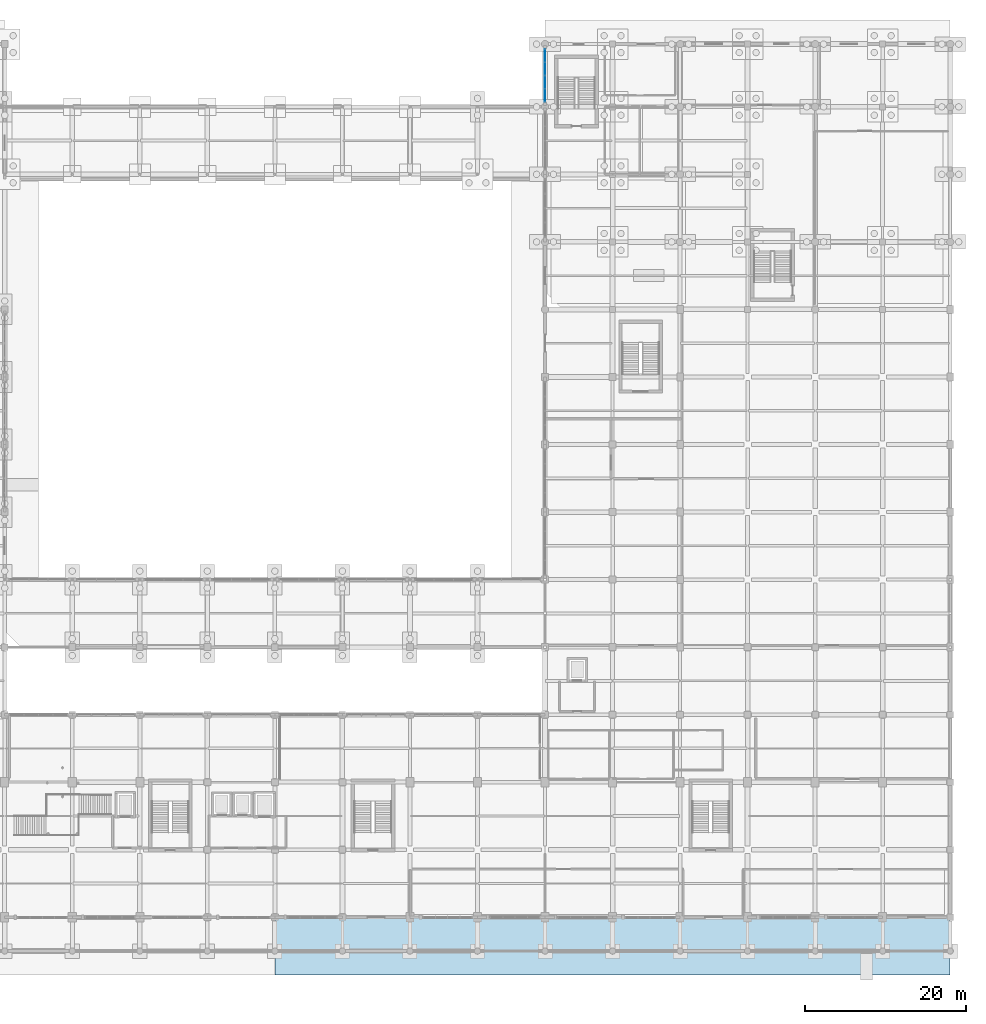
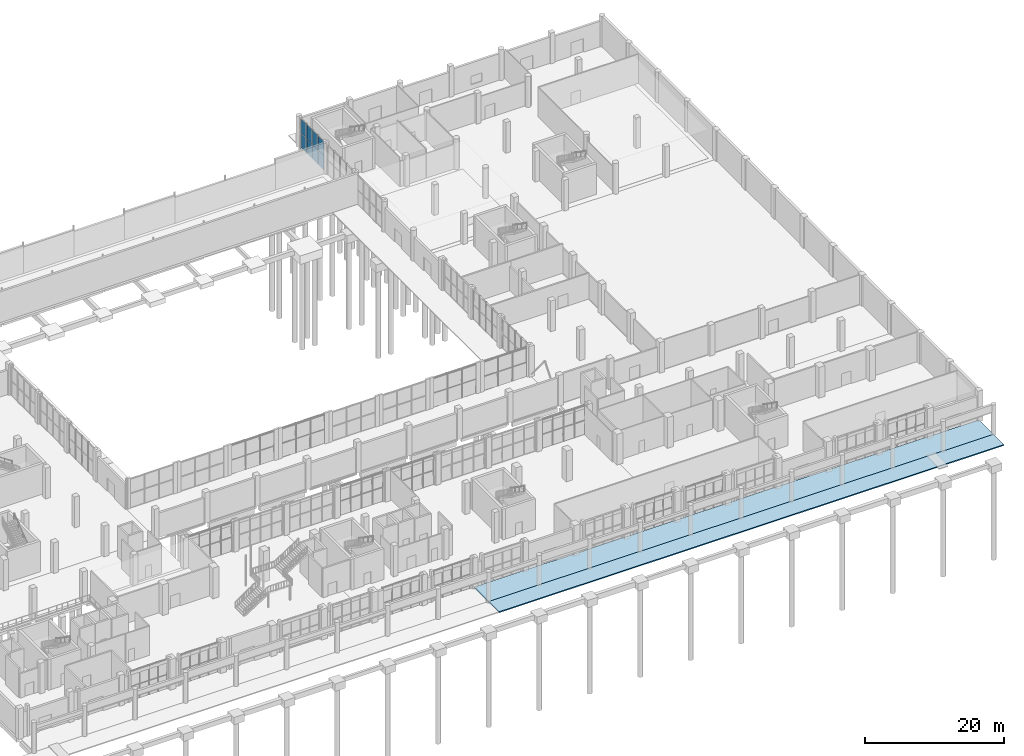
# One storey, part 59 of 82: 8 plates, 2 slabs, 1 element without a shape of its own.
"""IFC4 building model written with IfcOpenShell, lengths in metres."""

from ifc_helpers import new_model, si_unit, derived_unit, direction, frame, origin, origin_2d, place, context, subcontext, project, spatial, polyline, rectangle, outline, extrude, material, layer, layer_set, type_object, element, aggregate, save


model = new_model("IFC4")

# Units and contexts
model_context = context("Model", 3, precision=1e-05, world=origin(), true_north=direction((0.0, 1.0)))
body_context = subcontext(model_context, "Body", "Model", "MODEL_VIEW")
ifc_project = project(units=[si_unit("LENGTHUNIT", "METRE"), si_unit("AREAUNIT", "SQUARE_METRE"), si_unit("VOLUMEUNIT", "CUBIC_METRE"), si_unit("PLANEANGLEUNIT", "RADIAN"), si_unit("MASSUNIT", "GRAM", prefix="KILO"), derived_unit("THERMALTRANSMITTANCEUNIT", [(si_unit("POWERUNIT", "WATT"), 1), (si_unit("LENGTHUNIT", "METRE"), -2), (si_unit("THERMODYNAMICTEMPERATUREUNIT", "KELVIN"), -1)])], contexts=[model_context])

# Site, building, storey
site_placement = place(None, origin())
site = spatial("IfcSite", under=ifc_project, at=site_placement, CompositionType="ELEMENT")
building_placement = place(site_placement, origin())
building = spatial("IfcBuilding", under=site, at=building_placement, Name="Barrovel Congress Hotel", CompositionType="ELEMENT")
storey_placement = place(building_placement, origin())
storey = spatial("IfcBuildingStorey", under=building, at=storey_placement, Name="L00", CompositionType="ELEMENT", Elevation=0.0)

# Curtain wall, plates
ifc_material_1 = material(Name="Anodised Aluminium Alloy 6063-T6", Category="aluminium")
curtain_wall_type = type_object("IfcCurtainWallType", Name="CW-ST-7200x3600", PredefinedType="USERDEFINED", material=ifc_material_1)
curtain_wall_placement = place(storey_placement, origin())
curtain_wall = element("IfcCurtainWall", 1, at=curtain_wall_placement, inside=storey, type_object=curtain_wall_type, Name="CW:L00:CE:105.0", ObjectType="STICK CURTAIN WALL", PredefinedType="USERDEFINED")
ifc_material_2 = material(Name="Double Low-E Insulated Glazing", Category="glass")
ifc_layer_1 = layer(ifc_material_2, 0.031982421875)
ifc_layer_set_1 = layer_set([ifc_layer_1], Name="Double Low-E Insulated Glazing")
plate_type = type_object("IfcPlateType", Name="CWP-32", PredefinedType="CURTAIN_PANEL", material=ifc_layer_set_1)
plate_1_placement = place(storey_placement, frame((126.0, 111.375, 0.030029296875), z_axis=(0.0, 0.0, 1.0), x_axis=(0.0, -1.0, 0.0)))
plate_1 = element("IfcPlate", 2, at=plate_1_placement, type_object=plate_type, Name="CW:L00:CE:105.0:P0-0", PredefinedType="CURTAIN_PANEL", context=body_context, shape_type="SweptSolid", body=[
    extrude(rectangle(XDim=1.590087890625, YDim=0.031982421875, at=origin_2d()), origin(), (0.0, 0.0, 1.0), 2.5),
])
plate_2_placement = place(storey_placement, frame((126.0, 111.375, 2.590087890625), z_axis=(0.0, 0.0, 1.0), x_axis=(0.0, -1.0, 0.0)))
plate_2 = element("IfcPlate", 3, at=plate_2_placement, type_object=plate_type, Name="CW:L00:CE:105.0:P0-1", PredefinedType="CURTAIN_PANEL", context=body_context, shape_type="SweptSolid", body=[
    extrude(rectangle(XDim=1.590087890625, YDim=0.031982421875, at=origin_2d()), origin(), (0.0, 0.0, 1.0), 2.5),
])
plate_3_placement = place(storey_placement, frame((126.0, 109.72509765625, 0.030029296875), z_axis=(0.0, 0.0, 1.0), x_axis=(0.0, -1.0, 0.0)))
plate_3 = element("IfcPlate", 4, at=plate_3_placement, type_object=plate_type, Name="CW:L00:CE:105.0:P1-0", PredefinedType="CURTAIN_PANEL", context=body_context, shape_type="SweptSolid", body=[
    extrude(rectangle(XDim=1.590087890625, YDim=0.031982421875, at=origin_2d()), origin(), (0.0, 0.0, 1.0), 2.5),
])
plate_4_placement = place(storey_placement, frame((126.0, 109.72509765625, 2.590087890625), z_axis=(0.0, 0.0, 1.0), x_axis=(0.0, -1.0, 0.0)))
plate_4 = element("IfcPlate", 5, at=plate_4_placement, type_object=plate_type, Name="CW:L00:CE:105.0:P1-1", PredefinedType="CURTAIN_PANEL", context=body_context, shape_type="SweptSolid", body=[
    extrude(rectangle(XDim=1.590087890625, YDim=0.031982421875, at=origin_2d()), origin(), (0.0, 0.0, 1.0), 2.5),
])
plate_5_placement = place(storey_placement, frame((126.0, 108.074951171875, 0.030029296875), z_axis=(0.0, 0.0, 1.0), x_axis=(0.0, -1.0, 0.0)))
plate_5 = element("IfcPlate", 6, at=plate_5_placement, type_object=plate_type, Name="CW:L00:CE:105.0:P2-0", PredefinedType="CURTAIN_PANEL", context=body_context, shape_type="SweptSolid", body=[
    extrude(rectangle(XDim=1.590087890625, YDim=0.031982421875, at=origin_2d()), origin(), (0.0, 0.0, 1.0), 2.5),
])
plate_6_placement = place(storey_placement, frame((126.0, 108.074951171875, 2.590087890625), z_axis=(0.0, 0.0, 1.0), x_axis=(0.0, -1.0, 0.0)))
plate_6 = element("IfcPlate", 7, at=plate_6_placement, type_object=plate_type, Name="CW:L00:CE:105.0:P2-1", PredefinedType="CURTAIN_PANEL", context=body_context, shape_type="SweptSolid", body=[
    extrude(rectangle(XDim=1.590087890625, YDim=0.031982421875, at=origin_2d()), origin(), (0.0, 0.0, 1.0), 2.5),
])
plate_7_placement = place(storey_placement, frame((126.0, 106.425048828125, 0.030029296875), z_axis=(0.0, 0.0, 1.0), x_axis=(0.0, -1.0, 0.0)))
plate_7 = element("IfcPlate", 8, at=plate_7_placement, type_object=plate_type, Name="CW:L00:CE:105.0:P3-0", PredefinedType="CURTAIN_PANEL", context=body_context, shape_type="SweptSolid", body=[
    extrude(rectangle(XDim=1.590087890625, YDim=0.031982421875, at=origin_2d()), origin(), (0.0, 0.0, 1.0), 2.5),
])
plate_8_placement = place(storey_placement, frame((126.0, 106.425048828125, 2.590087890625), z_axis=(0.0, 0.0, 1.0), x_axis=(0.0, -1.0, 0.0)))
plate_8 = element("IfcPlate", 9, at=plate_8_placement, type_object=plate_type, Name="CW:L00:CE:105.0:P3-1", PredefinedType="CURTAIN_PANEL", context=body_context, shape_type="SweptSolid", body=[
    extrude(rectangle(XDim=1.590087890625, YDim=0.031982421875, at=origin_2d()), origin(), (0.0, 0.0, 1.0), 2.5),
])
aggregate(curtain_wall, [plate_1, plate_2, plate_3, plate_4, plate_5, plate_6, plate_7, plate_8])

# Slabs
ifc_material_3 = material(Name="Concrete C35", Category="concrete")
ifc_layer_2 = layer(ifc_material_3, 0.179931640625)
ifc_layer_set_2 = layer_set([ifc_layer_2], Name="Concrete C35")
slab_type_1 = type_object("IfcSlabType", Name="SL-F180", PredefinedType="FLOOR", material=ifc_layer_set_2)
slab_1_placement = place(storey_placement, frame((0.0, 0.0, -0.179931640625)))
element("IfcSlab", 10, at=slab_1_placement, inside=storey, type_object=slab_type_1, Name="Exterior Stone Paving PAV-SOUTH-E", PredefinedType="FLOOR", context=body_context, shape_type="SweptSolid", body=[
    extrude(outline(polyline([(92.39990234375, -3.0), (176.39990234375, -3.0), (176.39990234375, 0.0), (92.39990234375, 0.0), (92.39990234375, -3.0)])), origin(), (0.0, 0.0, 1.0), 0.179931640625),
])
ifc_layer_3 = layer(ifc_material_3, 0.219970703125)
ifc_layer_set_3 = layer_set([ifc_layer_3], Name="Concrete C35")
slab_type_2 = type_object("IfcSlabType", Name="SL-F220", PredefinedType="FLOOR", material=ifc_layer_set_3)
slab_2_placement = place(storey_placement, frame((0.0, 0.0, -0.219970703125)))
element("IfcSlab", 11, at=slab_2_placement, inside=storey, type_object=slab_type_2, Name="SLAB:L00:V5-ARCADE-E", PredefinedType="FLOOR", context=body_context, shape_type="SweptSolid", body=[
    extrude(outline(polyline([(92.39990234375, 0.0), (176.39990234375, 0.0), (176.39990234375, 4.199951171875), (92.39990234375, 4.199951171875), (92.39990234375, 0.0)])), origin(), (0.0, 0.0, 1.0), 0.219970703125),
])

save(model, "model.ifc")
